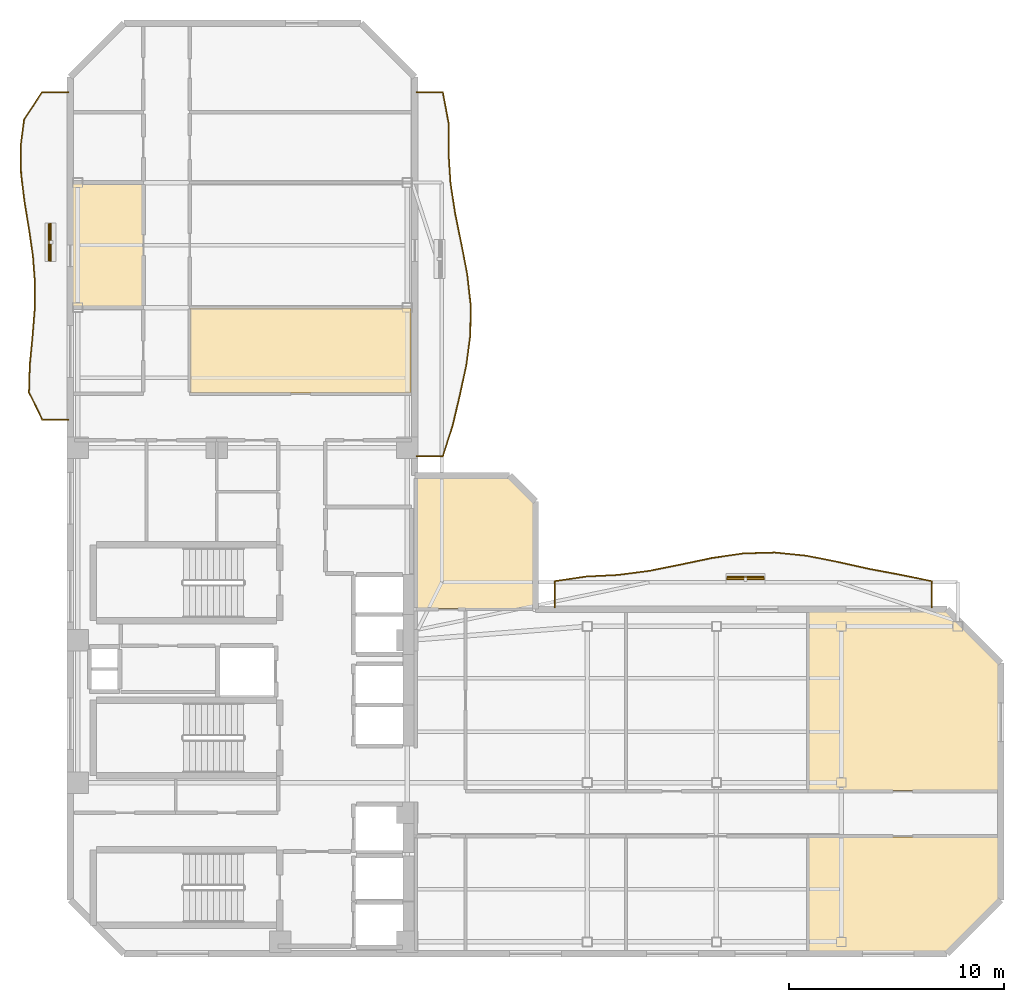
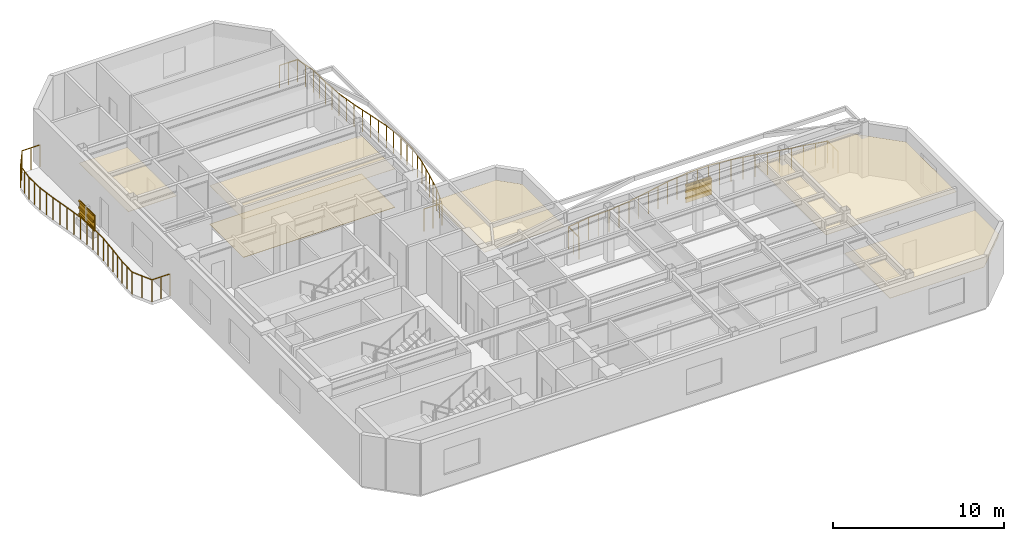
# One storey, part 8 of 9: 8 shading devices, 6 coverings, 3 railings.
"""IFC4 building model written with IfcOpenShell, lengths in metres."""

from ifc_helpers import new_model, si_unit, direction, frame, origin, origin_2d, place, context, subcontext, project, spatial, polyline, rectangle, outline, extrude, material, layer, layer_set, material_profile, profile_set, type_object, element, save


model = new_model("IFC4")

# Units and contexts
model_context = context("Model", 3, precision=1e-05, world=origin(), true_north=direction((0.0, 1.0)))
body_context = subcontext(model_context, "Body", "Model", "MODEL_VIEW")
ifc_project = project(units=[si_unit("LENGTHUNIT", "METRE"), si_unit("AREAUNIT", "SQUARE_METRE"), si_unit("VOLUMEUNIT", "CUBIC_METRE"), si_unit("PLANEANGLEUNIT", "RADIAN"), si_unit("MASSUNIT", "GRAM", prefix="KILO")], contexts=[model_context])

# Site, building, storey
site_placement = place(None, origin())
site = spatial("IfcSite", under=ifc_project, at=site_placement, CompositionType="ELEMENT")
building_placement = place(site_placement, origin())
building = spatial("IfcBuilding", under=site, at=building_placement, Name="Mawjaban Terraces University", CompositionType="ELEMENT")
storey_placement = place(building_placement, frame((0.0, 0.0, 226.5)))
storey = spatial("IfcBuildingStorey", under=building, at=storey_placement, Name="L55", CompositionType="ELEMENT", Elevation=226.5)

# Coverings
ifc_material_1 = material(Name="Acoustic mineral fibre ceiling tile", Category="masonry")
ifc_layer_1 = layer(ifc_material_1, 0.02001953125)
ifc_layer_set_1 = layer_set([ifc_layer_1], Name="Acoustic mineral fibre ceiling tile")
covering_type_1 = type_object("IfcCoveringType", Name="AcousticMineralCeiling_20", PredefinedType="CEILING", material=ifc_layer_set_1)
covering_1_placement = place(storey_placement, frame((0.0, 0.0, 2.75)))
element("IfcCovering", 1, at=covering_1_placement, inside=storey, type_object=covering_type_1, Name="L55 Departmental Office 6 Acoustic Ceiling", PredefinedType="CEILING", context=body_context, shape_type="SweptSolid", body=[
    extrude(outline(polyline([(56.283935546875, 0.114990234375), (62.653076171875, 0.114990234375), (65.0849609375, 2.547119140625), (65.0849609375, 5.419921875), (56.283935546875, 5.419921875), (56.283935546875, 0.114990234375)])), origin(), (0.0, 0.0, 1.0), 0.02001953125),
])
covering_2_placement = place(storey_placement, frame((0.0, 0.0, 2.75)))
element("IfcCovering", 2, at=covering_2_placement, inside=storey, type_object=covering_type_1, Name="L55 Faculty Office 7 Acoustic Ceiling", PredefinedType="CEILING", context=body_context, shape_type="SweptSolid", body=[
    extrude(outline(polyline([(65.0849609375, 7.580078125), (65.0849609375, 13.452880859375), (62.653076171875, 15.885009765625), (56.283935546875, 15.885009765625), (56.283935546875, 7.580078125), (65.0849609375, 7.580078125)])), origin(), (0.0, 0.0, 1.0), 0.02001953125),
])
covering_3_placement = place(storey_placement, frame((0.0, 0.0, 2.75)))
element("IfcCovering", 3, at=covering_3_placement, inside=storey, type_object=covering_type_1, Name="L55 Quiet Reading Room 9 Acoustic Ceiling", PredefinedType="CEILING", context=body_context, shape_type="SweptSolid", body=[
    extrude(outline(polyline([(37.820068359375, 26.030029296875), (37.820068359375, 29.969970703125), (27.580078125, 29.969970703125), (27.580078125, 26.030029296875), (37.820068359375, 26.030029296875)])), origin(), (0.0, 0.0, 1.0), 0.02001953125),
])
covering_4_placement = place(storey_placement, frame((0.0, 0.0, 2.75)))
element("IfcCovering", 4, at=covering_4_placement, inside=storey, type_object=covering_type_1, Name="L55 Media Workshop 10 Acoustic Ceiling", PredefinedType="CEILING", context=body_context, shape_type="SweptSolid", body=[
    extrude(outline(polyline([(22.114990234375, 35.77001953125), (22.114990234375, 30.030029296875), (25.3701171875, 30.030029296875), (25.3701171875, 35.77001953125), (22.114990234375, 35.77001953125)])), origin(), (0.0, 0.0, 1.0), 0.02001953125),
])
covering_5_placement = place(storey_placement, frame((0.0, 0.0, 2.75)))
element("IfcCovering", 5, at=covering_5_placement, inside=storey, type_object=covering_type_1, Name="L55 Terrace Collaborative Study Room Acoustic Ceiling", PredefinedType="CEILING", context=body_context, shape_type="SweptSolid", body=[
    extrude(outline(polyline([(43.485107421875, 16.030029296875), (43.485107421875, 20.952880859375), (42.35302734375, 22.0849609375), (38.080078125, 22.0849609375), (38.080078125, 16.030029296875), (43.485107421875, 16.030029296875)])), origin(), (0.0, 0.0, 1.0), 0.02001953125),
])

# Railings
ifc_material_2 = material(Name="Galvanised powder-coated steel S355", Category="steel")
railing_type = type_object("IfcRailingType", Name="BalconyBalustrade_1600", PredefinedType="BALUSTRADE", material=ifc_material_2)
railing_1_placement = place(storey_placement, frame((21.919921875, 24.800048828125, 0.0)))
element("IfcRailing", 6, at=railing_1_placement, inside=storey, type_object=railing_type, Name="L55 Balcony Guardrail west", PredefinedType="BALUSTRADE", context=body_context, shape_type="SweptSolid", body=[
    extrude(rectangle(XDim=0.048095703125, YDim=0.048095703125, at=origin_2d()), frame((0.0, 0.0, 1.576171875), z_axis=(-1.0, 0.0, 0.0), x_axis=(0.0, -1.0, 0.0)), (0.0, 0.0, 1.0), 1.219970703125),
    extrude(rectangle(XDim=0.048095703125, YDim=0.048095703125, at=origin_2d()), frame((-1.219970703125, 0.0, 1.576171875), z_axis=(-0.436711577164, 0.899601577572, 0.0), x_axis=(-0.899601577572, -0.436711577164, 0.0)), (0.0, 0.0, 1.0), 1.408203125),
    extrude(rectangle(XDim=0.048095703125, YDim=0.048095703125, at=origin_2d()), frame((-1.8349609375, 1.266845703125, 1.576171875), z_axis=(0.028526758258, 0.999593029219, 0.0), x_axis=(-0.999593029219, 0.028526758258, 0.0)), (0.0, 0.0, 1.0), 1.2666015625),
    extrude(rectangle(XDim=0.048095703125, YDim=0.048095703125, at=origin_2d()), frame((-1.798828125, 2.532958984375, 1.576171875), z_axis=(0.096465161819, 0.995336361516, 0.0), x_axis=(-0.995336361516, 0.096465161819, 0.0)), (0.0, 0.0, 1.0), 1.27294921875),
    extrude(rectangle(XDim=0.048095703125, YDim=0.048095703125, at=origin_2d()), frame((-1.676025390625, 3.800048828125, 1.576171875), z_axis=(0.081058267837, 0.996709364467, 0.0), x_axis=(-0.996709364467, 0.081058267837, 0.0)), (0.0, 0.0, 1.0), 1.27099609375),
    extrude(rectangle(XDim=0.048095703125, YDim=0.048095703125, at=origin_2d()), frame((-1.572998046875, 5.06689453125, 1.576171875), z_axis=(0.011954409891, 0.999928543489, 0.0), x_axis=(-0.999928543489, 0.011954409891, 0.0)), (0.0, 0.0, 1.0), 1.26611328125),
    extrude(rectangle(XDim=0.048095703125, YDim=0.048095703125, at=origin_2d()), frame((-1.557861328125, 6.3330078125, 1.576171875), z_axis=(-0.075520847881, 0.997144223037, 0.0), x_axis=(-0.997144223037, -0.075520847881, 0.0)), (0.0, 0.0, 1.0), 1.2705078125),
    extrude(rectangle(XDim=0.048095703125, YDim=0.048095703125, at=origin_2d()), frame((-1.65380859375, 7.599853515625, 1.576171875), z_axis=(-0.143770092733, 0.98961111576, 0.0), x_axis=(-0.98961111576, -0.143770092733, 0.0)), (0.0, 0.0, 1.0), 1.2802734375),
    extrude(rectangle(XDim=0.048095703125, YDim=0.048095703125, at=origin_2d()), frame((-1.837890625, 8.866943359375, 1.576171875), z_axis=(-0.163596886626, 0.986527272145, 0.0), x_axis=(-0.986527272145, -0.163596886626, 0.0)), (0.0, 0.0, 1.0), 1.283447265625),
    extrude(rectangle(XDim=0.048095703125, YDim=0.048095703125, at=origin_2d()), frame((-2.0478515625, 10.133056640625, 1.576171875), z_axis=(-0.120714143885, 0.992687310016, 0.0), x_axis=(-0.992687310016, -0.120714143885, 0.0)), (0.0, 0.0, 1.0), 1.276123046875),
    extrude(rectangle(XDim=0.048095703125, YDim=0.048095703125, at=origin_2d()), frame((-2.201904296875, 11.39990234375, 1.576171875), z_axis=(-0.018879100933, 0.999821773892, 0.0), x_axis=(-0.999821773892, -0.018879100933, 0.0)), (0.0, 0.0, 1.0), 1.267333984375),
    extrude(rectangle(XDim=0.048095703125, YDim=0.048095703125, at=origin_2d()), frame((-2.225830078125, 12.6669921875, 1.576171875), z_axis=(0.129093896375, 0.99163237438, 0.0), x_axis=(-0.99163237438, 0.129093896375, 0.0)), (0.0, 0.0, 1.0), 1.276611328125),
    extrude(rectangle(XDim=0.048095703125, YDim=0.048095703125, at=origin_2d()), frame((-2.06103515625, 13.932861328125, 1.576171875), z_axis=(0.553032021961, 0.833159998251, 0.0), x_axis=(-0.833159998251, 0.553032021961, 0.0)), (0.0, 0.0, 1.0), 1.520751953125),
    extrude(rectangle(XDim=0.048095703125, YDim=0.048095703125, at=origin_2d()), frame((-1.219970703125, 15.199951171875, 1.576171875), z_axis=(1.0, 0.0, 0.0), x_axis=(0.0, 1.0, 0.0)), (0.0, 0.0, 1.0), 1.219970703125),
    extrude(rectangle(XDim=0.0419921875, YDim=0.0419921875, at=origin_2d()), origin(), (0.0, 0.0, 1.0), 1.552001953125),
    extrude(rectangle(XDim=0.0419921875, YDim=0.0419921875, at=origin_2d()), frame((-0.60986328125, 0.0, 0.0)), (0.0, 0.0, 1.0), 1.552001953125),
    extrude(rectangle(XDim=0.0419921875, YDim=0.0419921875, at=origin_2d()), frame((-1.219970703125, 0.0, 0.0)), (0.0, 0.0, 1.0), 1.552001953125),
    extrude(rectangle(XDim=0.0419921875, YDim=0.0419921875, at=origin_2d()), frame((-1.52734375, 0.63330078125, 0.0)), (0.0, 0.0, 1.0), 1.552001953125),
    extrude(rectangle(XDim=0.0419921875, YDim=0.0419921875, at=origin_2d()), frame((-1.8349609375, 1.266845703125, 0.0)), (0.0, 0.0, 1.0), 1.552001953125),
    extrude(rectangle(XDim=0.0419921875, YDim=0.0419921875, at=origin_2d()), frame((-1.81689453125, 1.89990234375, 0.0)), (0.0, 0.0, 1.0), 1.552001953125),
    extrude(rectangle(XDim=0.0419921875, YDim=0.0419921875, at=origin_2d()), frame((-1.798828125, 2.532958984375, 0.0)), (0.0, 0.0, 1.0), 1.552001953125),
    extrude(rectangle(XDim=0.0419921875, YDim=0.0419921875, at=origin_2d()), frame((-1.7373046875, 3.16650390625, 0.0)), (0.0, 0.0, 1.0), 1.552001953125),
    extrude(rectangle(XDim=0.0419921875, YDim=0.0419921875, at=origin_2d()), frame((-1.676025390625, 3.800048828125, 0.0)), (0.0, 0.0, 1.0), 1.552001953125),
    extrude(rectangle(XDim=0.0419921875, YDim=0.0419921875, at=origin_2d()), frame((-1.62451171875, 4.43359375, 0.0)), (0.0, 0.0, 1.0), 1.552001953125),
    extrude(rectangle(XDim=0.0419921875, YDim=0.0419921875, at=origin_2d()), frame((-1.572998046875, 5.06689453125, 0.0)), (0.0, 0.0, 1.0), 1.552001953125),
    extrude(rectangle(XDim=0.0419921875, YDim=0.0419921875, at=origin_2d()), frame((-1.5654296875, 5.699951171875, 0.0)), (0.0, 0.0, 1.0), 1.552001953125),
    extrude(rectangle(XDim=0.0419921875, YDim=0.0419921875, at=origin_2d()), frame((-1.557861328125, 6.3330078125, 0.0)), (0.0, 0.0, 1.0), 1.552001953125),
    extrude(rectangle(XDim=0.0419921875, YDim=0.0419921875, at=origin_2d()), frame((-1.60595703125, 6.96630859375, 0.0)), (0.0, 0.0, 1.0), 1.552001953125),
    extrude(rectangle(XDim=0.0419921875, YDim=0.0419921875, at=origin_2d()), frame((-1.65380859375, 7.599853515625, 0.0)), (0.0, 0.0, 1.0), 1.552001953125),
    extrude(rectangle(XDim=0.0419921875, YDim=0.0419921875, at=origin_2d()), frame((-1.745849609375, 8.2333984375, 0.0)), (0.0, 0.0, 1.0), 1.552001953125),
    extrude(rectangle(XDim=0.0419921875, YDim=0.0419921875, at=origin_2d()), frame((-1.837890625, 8.866943359375, 0.0)), (0.0, 0.0, 1.0), 1.552001953125),
    extrude(rectangle(XDim=0.0419921875, YDim=0.0419921875, at=origin_2d()), frame((-1.94287109375, 9.5, 0.0)), (0.0, 0.0, 1.0), 1.552001953125),
    extrude(rectangle(XDim=0.0419921875, YDim=0.0419921875, at=origin_2d()), frame((-2.0478515625, 10.133056640625, 0.0)), (0.0, 0.0, 1.0), 1.552001953125),
    extrude(rectangle(XDim=0.0419921875, YDim=0.0419921875, at=origin_2d()), frame((-2.125, 10.7666015625, 0.0)), (0.0, 0.0, 1.0), 1.552001953125),
    extrude(rectangle(XDim=0.0419921875, YDim=0.0419921875, at=origin_2d()), frame((-2.201904296875, 11.39990234375, 0.0)), (0.0, 0.0, 1.0), 1.552001953125),
    extrude(rectangle(XDim=0.0419921875, YDim=0.0419921875, at=origin_2d()), frame((-2.2138671875, 12.033447265625, 0.0)), (0.0, 0.0, 1.0), 1.552001953125),
    extrude(rectangle(XDim=0.0419921875, YDim=0.0419921875, at=origin_2d()), frame((-2.225830078125, 12.6669921875, 0.0)), (0.0, 0.0, 1.0), 1.552001953125),
    extrude(rectangle(XDim=0.0419921875, YDim=0.0419921875, at=origin_2d()), frame((-2.1435546875, 13.2998046875, 0.0)), (0.0, 0.0, 1.0), 1.552001953125),
    extrude(rectangle(XDim=0.0419921875, YDim=0.0419921875, at=origin_2d()), frame((-2.06103515625, 13.932861328125, 0.0)), (0.0, 0.0, 1.0), 1.552001953125),
    extrude(rectangle(XDim=0.0419921875, YDim=0.0419921875, at=origin_2d()), frame((-1.640625, 14.56640625, 0.0)), (0.0, 0.0, 1.0), 1.552001953125),
    extrude(rectangle(XDim=0.0419921875, YDim=0.0419921875, at=origin_2d()), frame((-1.219970703125, 15.199951171875, 0.0)), (0.0, 0.0, 1.0), 1.552001953125),
    extrude(rectangle(XDim=0.0419921875, YDim=0.0419921875, at=origin_2d()), frame((-0.60986328125, 15.199951171875, 0.0)), (0.0, 0.0, 1.0), 1.552001953125),
    extrude(rectangle(XDim=0.0419921875, YDim=0.0419921875, at=origin_2d()), frame((0.0, 15.199951171875, 0.0)), (0.0, 0.0, 1.0), 1.552001953125),
])
railing_2_placement = place(storey_placement, frame((44.5, 16.080078125, 0.0)))
element("IfcRailing", 7, at=railing_2_placement, inside=storey, type_object=railing_type, Name="L55 Balcony Guardrail inner_north", PredefinedType="BALUSTRADE", context=body_context, shape_type="SweptSolid", body=[
    extrude(rectangle(XDim=0.048095703125, YDim=0.048095703125, at=origin_2d()), frame((0.0, 0.0, 1.576171875), z_axis=(0.0, 1.0, 0.0), x_axis=(-1.0, 0.0, 0.0)), (0.0, 0.0, 1.0), 1.219970703125),
    extrude(rectangle(XDim=0.048095703125, YDim=0.048095703125, at=origin_2d()), frame((0.0, 1.219970703125, 1.576171875), z_axis=(0.989100957602, 0.147238906783, 0.0), x_axis=(-0.147238906783, 0.989100957602, 0.0)), (0.0, 0.0, 1.0), 1.47412109375),
    extrude(rectangle(XDim=0.048095703125, YDim=0.048095703125, at=origin_2d()), frame((1.4580078125, 1.43701171875, 1.576171875), z_axis=(0.99875067122, 0.049970958952, 0.0), x_axis=(-0.049970958952, 0.99875067122, 0.0)), (0.0, 0.0, 1.0), 1.460693359375),
    extrude(rectangle(XDim=0.048095703125, YDim=0.048095703125, at=origin_2d()), frame((2.9169921875, 1.510009765625, 1.576171875), z_axis=(0.991620768722, 0.129183013742, 0.0), x_axis=(-0.129183013742, 0.991620768722, 0.0)), (0.0, 0.0, 1.0), 1.47021484375),
    extrude(rectangle(XDim=0.048095703125, YDim=0.048095703125, at=origin_2d()), frame((4.375, 1.699951171875, 1.576171875), z_axis=(0.980656391258, 0.195737176554, 0.0), x_axis=(-0.195737176554, 0.980656391258, 0.0)), (0.0, 0.0, 1.0), 1.48681640625),
    extrude(rectangle(XDim=0.048095703125, YDim=0.048095703125, at=origin_2d()), frame((5.8330078125, 1.990966796875, 1.576171875), z_axis=(0.9787180108, 0.205209783724, 0.0), x_axis=(-0.205209783724, 0.9787180108, 0.0)), (0.0, 0.0, 1.0), 1.49072265625),
    extrude(rectangle(XDim=0.048095703125, YDim=0.048095703125, at=origin_2d()), frame((7.2919921875, 2.296875, 1.576171875), z_axis=(0.989483632646, 0.144644877981, 0.0), x_axis=(-0.144644877981, 0.989483632646, 0.0)), (0.0, 0.0, 1.0), 1.473388671875),
    extrude(rectangle(XDim=0.048095703125, YDim=0.048095703125, at=origin_2d()), frame((8.75, 2.510009765625, 1.576171875), z_axis=(0.999585506985, 0.028789133825, 0.0), x_axis=(-0.028789133825, 0.999585506985, 0.0)), (0.0, 0.0, 1.0), 1.45849609375),
    extrude(rectangle(XDim=0.048095703125, YDim=0.048095703125, at=origin_2d()), frame((10.2080078125, 2.552001953125, 1.576171875), z_axis=(0.994881042636, -0.101053010857, 0.0), x_axis=(0.101053010857, 0.994881042636, 0.0)), (0.0, 0.0, 1.0), 1.466552734375),
    extrude(rectangle(XDim=0.048095703125, YDim=0.048095703125, at=origin_2d()), frame((11.6669921875, 2.40380859375, 1.576171875), z_axis=(0.981313141309, -0.192417563374, 0.0), x_axis=(0.192417563374, 0.981313141309, 0.0)), (0.0, 0.0, 1.0), 1.48583984375),
    extrude(rectangle(XDim=0.048095703125, YDim=0.048095703125, at=origin_2d()), frame((13.125, 2.117919921875, 1.576171875), z_axis=(0.975913288305, -0.218158780959, 0.0), x_axis=(0.218158780959, 0.975913288305, 0.0)), (0.0, 0.0, 1.0), 1.493896484375),
    extrude(rectangle(XDim=0.048095703125, YDim=0.048095703125, at=origin_2d()), frame((14.5830078125, 1.7919921875, 1.576171875), z_axis=(0.982946589238, -0.18389127958, 0.0), x_axis=(0.18389127958, 0.982946589238, 0.0)), (0.0, 0.0, 1.0), 1.484375),
    extrude(rectangle(XDim=0.048095703125, YDim=0.048095703125, at=origin_2d()), frame((16.0419921875, 1.51904296875, 1.576171875), z_axis=(0.979603528559, -0.200940107583, 0.0), x_axis=(0.200940107583, 0.979603528559, 0.0)), (0.0, 0.0, 1.0), 1.48828125),
    extrude(rectangle(XDim=0.048095703125, YDim=0.048095703125, at=origin_2d()), frame((17.5, 1.219970703125, 1.576171875), z_axis=(0.0, -1.0, 0.0), x_axis=(1.0, 0.0, 0.0)), (0.0, 0.0, 1.0), 1.219970703125),
    extrude(rectangle(XDim=0.0419921875, YDim=0.0419921875, at=origin_2d()), origin(), (0.0, 0.0, 1.0), 1.552001953125),
    extrude(rectangle(XDim=0.0419921875, YDim=0.0419921875, at=origin_2d()), frame((0.0, 0.60986328125, 0.0)), (0.0, 0.0, 1.0), 1.552001953125),
    extrude(rectangle(XDim=0.0419921875, YDim=0.0419921875, at=origin_2d()), frame((0.0, 1.219970703125, 0.0)), (0.0, 0.0, 1.0), 1.552001953125),
    extrude(rectangle(XDim=0.0419921875, YDim=0.0419921875, at=origin_2d()), frame((0.72900390625, 1.32861328125, 0.0)), (0.0, 0.0, 1.0), 1.552001953125),
    extrude(rectangle(XDim=0.0419921875, YDim=0.0419921875, at=origin_2d()), frame((1.4580078125, 1.43701171875, 0.0)), (0.0, 0.0, 1.0), 1.552001953125),
    extrude(rectangle(XDim=0.0419921875, YDim=0.0419921875, at=origin_2d()), frame((2.1875, 1.4736328125, 0.0)), (0.0, 0.0, 1.0), 1.552001953125),
    extrude(rectangle(XDim=0.0419921875, YDim=0.0419921875, at=origin_2d()), frame((2.9169921875, 1.510009765625, 0.0)), (0.0, 0.0, 1.0), 1.552001953125),
    extrude(rectangle(XDim=0.0419921875, YDim=0.0419921875, at=origin_2d()), frame((3.64599609375, 1.60498046875, 0.0)), (0.0, 0.0, 1.0), 1.552001953125),
    extrude(rectangle(XDim=0.0419921875, YDim=0.0419921875, at=origin_2d()), frame((4.375, 1.699951171875, 0.0)), (0.0, 0.0, 1.0), 1.552001953125),
    extrude(rectangle(XDim=0.0419921875, YDim=0.0419921875, at=origin_2d()), frame((5.10400390625, 1.845458984375, 0.0)), (0.0, 0.0, 1.0), 1.552001953125),
    extrude(rectangle(XDim=0.0419921875, YDim=0.0419921875, at=origin_2d()), frame((5.8330078125, 1.990966796875, 0.0)), (0.0, 0.0, 1.0), 1.552001953125),
    extrude(rectangle(XDim=0.0419921875, YDim=0.0419921875, at=origin_2d()), frame((6.5625, 2.14404296875, 0.0)), (0.0, 0.0, 1.0), 1.552001953125),
    extrude(rectangle(XDim=0.0419921875, YDim=0.0419921875, at=origin_2d()), frame((7.2919921875, 2.296875, 0.0)), (0.0, 0.0, 1.0), 1.552001953125),
    extrude(rectangle(XDim=0.0419921875, YDim=0.0419921875, at=origin_2d()), frame((8.02099609375, 2.4033203125, 0.0)), (0.0, 0.0, 1.0), 1.552001953125),
    extrude(rectangle(XDim=0.0419921875, YDim=0.0419921875, at=origin_2d()), frame((8.75, 2.510009765625, 0.0)), (0.0, 0.0, 1.0), 1.552001953125),
    extrude(rectangle(XDim=0.0419921875, YDim=0.0419921875, at=origin_2d()), frame((9.47900390625, 2.531005859375, 0.0)), (0.0, 0.0, 1.0), 1.552001953125),
    extrude(rectangle(XDim=0.0419921875, YDim=0.0419921875, at=origin_2d()), frame((10.2080078125, 2.552001953125, 0.0)), (0.0, 0.0, 1.0), 1.552001953125),
    extrude(rectangle(XDim=0.0419921875, YDim=0.0419921875, at=origin_2d()), frame((10.9375, 2.47802734375, 0.0)), (0.0, 0.0, 1.0), 1.552001953125),
    extrude(rectangle(XDim=0.0419921875, YDim=0.0419921875, at=origin_2d()), frame((11.6669921875, 2.40380859375, 0.0)), (0.0, 0.0, 1.0), 1.552001953125),
    extrude(rectangle(XDim=0.0419921875, YDim=0.0419921875, at=origin_2d()), frame((12.39599609375, 2.2607421875, 0.0)), (0.0, 0.0, 1.0), 1.552001953125),
    extrude(rectangle(XDim=0.0419921875, YDim=0.0419921875, at=origin_2d()), frame((13.125, 2.117919921875, 0.0)), (0.0, 0.0, 1.0), 1.552001953125),
    extrude(rectangle(XDim=0.0419921875, YDim=0.0419921875, at=origin_2d()), frame((13.85400390625, 1.955078125, 0.0)), (0.0, 0.0, 1.0), 1.552001953125),
    extrude(rectangle(XDim=0.0419921875, YDim=0.0419921875, at=origin_2d()), frame((14.5830078125, 1.7919921875, 0.0)), (0.0, 0.0, 1.0), 1.552001953125),
    extrude(rectangle(XDim=0.0419921875, YDim=0.0419921875, at=origin_2d()), frame((15.3125, 1.655517578125, 0.0)), (0.0, 0.0, 1.0), 1.552001953125),
    extrude(rectangle(XDim=0.0419921875, YDim=0.0419921875, at=origin_2d()), frame((16.0419921875, 1.51904296875, 0.0)), (0.0, 0.0, 1.0), 1.552001953125),
    extrude(rectangle(XDim=0.0419921875, YDim=0.0419921875, at=origin_2d()), frame((16.77099609375, 1.36962890625, 0.0)), (0.0, 0.0, 1.0), 1.552001953125),
    extrude(rectangle(XDim=0.0419921875, YDim=0.0419921875, at=origin_2d()), frame((17.5, 1.219970703125, 0.0)), (0.0, 0.0, 1.0), 1.552001953125),
    extrude(rectangle(XDim=0.0419921875, YDim=0.0419921875, at=origin_2d()), frame((17.5, 0.60986328125, 0.0)), (0.0, 0.0, 1.0), 1.552001953125),
    extrude(rectangle(XDim=0.0419921875, YDim=0.0419921875, at=origin_2d()), frame((17.5, 0.0, 0.0)), (0.0, 0.0, 1.0), 1.552001953125),
])
railing_3_placement = place(storey_placement, frame((38.080078125, 23.10009765625, 0.0)))
element("IfcRailing", 8, at=railing_3_placement, inside=storey, type_object=railing_type, Name="L55 Balcony Guardrail inner_east", PredefinedType="BALUSTRADE", context=body_context, shape_type="SweptSolid", body=[
    extrude(rectangle(XDim=0.048095703125, YDim=0.048095703125, at=origin_2d()), frame((0.0, 0.0, 1.576171875), z_axis=(1.0, 0.0, 0.0), x_axis=(0.0, 1.0, 0.0)), (0.0, 0.0, 1.0), 1.219970703125),
    extrude(rectangle(XDim=0.048095703125, YDim=0.048095703125, at=origin_2d()), frame((1.219970703125, 0.0, 1.576171875), z_axis=(0.306206877459, 0.951964993157, 0.0), x_axis=(-0.951964993157, 0.306206877459, 0.0)), (0.0, 0.0, 1.0), 1.47900390625),
    extrude(rectangle(XDim=0.048095703125, YDim=0.048095703125, at=origin_2d()), frame((1.6728515625, 1.407958984375, 1.576171875), z_axis=(0.230655441366, 0.97303549132, 0.0), x_axis=(-0.97303549132, 0.230655441366, 0.0)), (0.0, 0.0, 1.0), 1.447998046875),
    extrude(rectangle(XDim=0.048095703125, YDim=0.048095703125, at=origin_2d()), frame((2.0068359375, 2.81689453125, 1.576171875), z_axis=(0.21118399882, 0.977446325198, 0.0), x_axis=(-0.977446325198, 0.21118399882, 0.0)), (0.0, 0.0, 1.0), 1.4404296875),
    extrude(rectangle(XDim=0.048095703125, YDim=0.048095703125, at=origin_2d()), frame((2.31103515625, 4.224853515625, 1.576171875), z_axis=(0.132343849048, 0.99120386683, 0.0), x_axis=(-0.99120386683, 0.132343849048, 0.0)), (0.0, 0.0, 1.0), 1.42041015625),
    extrude(rectangle(XDim=0.048095703125, YDim=0.048095703125, at=origin_2d()), frame((2.4990234375, 5.6328125, 1.576171875), z_axis=(0.009181872111, 0.999957845724, 0.0), x_axis=(-0.999957845724, 0.009181872111, 0.0)), (0.0, 0.0, 1.0), 1.4091796875),
    extrude(rectangle(XDim=0.048095703125, YDim=0.048095703125, at=origin_2d()), frame((2.511962890625, 7.0419921875, 1.576171875), z_axis=(-0.11217122754, 0.993688892819, 0.0), x_axis=(-0.993688892819, -0.11217122754, 0.0)), (0.0, 0.0, 1.0), 1.4169921875),
    extrude(rectangle(XDim=0.048095703125, YDim=0.048095703125, at=origin_2d()), frame((2.35302734375, 8.449951171875, 1.576171875), z_axis=(-0.189826041236, 0.98181773974, 0.0), x_axis=(-0.98181773974, -0.189826041236, 0.0)), (0.0, 0.0, 1.0), 1.43408203125),
    extrude(rectangle(XDim=0.048095703125, YDim=0.048095703125, at=origin_2d()), frame((2.080810546875, 9.85791015625, 1.576171875), z_axis=(-0.200162907696, 0.979762629611, 0.0), x_axis=(-0.979762629611, -0.200162907696, 0.0)), (0.0, 0.0, 1.0), 1.43798828125),
    extrude(rectangle(XDim=0.048095703125, YDim=0.048095703125, at=origin_2d()), frame((1.79296875, 11.266845703125, 1.576171875), z_axis=(-0.151013766641, 0.988531659728, 0.0), x_axis=(-0.988531659728, -0.151013766641, 0.0)), (0.0, 0.0, 1.0), 1.42431640625),
    extrude(rectangle(XDim=0.048095703125, YDim=0.048095703125, at=origin_2d()), frame((1.577880859375, 12.6748046875, 1.576171875), z_axis=(-0.06591045966, 0.997825541519, 0.0), x_axis=(-0.997825541519, -0.06591045966, 0.0)), (0.0, 0.0, 1.0), 1.411376953125),
    extrude(rectangle(XDim=0.048095703125, YDim=0.048095703125, at=origin_2d()), frame((1.48486328125, 14.0830078125, 1.576171875), z_axis=(-0.001386240221, 0.999999039169, 0.0), x_axis=(-0.999999039169, -0.001386240221, 0.0)), (0.0, 0.0, 1.0), 1.408935546875),
    extrude(rectangle(XDim=0.048095703125, YDim=0.048095703125, at=origin_2d()), frame((1.48291015625, 15.491943359375, 1.576171875), z_axis=(-0.183578371424, 0.98300507707, 0.0), x_axis=(-0.98300507707, -0.183578371424, 0.0)), (0.0, 0.0, 1.0), 1.432373046875),
    extrude(rectangle(XDim=0.048095703125, YDim=0.048095703125, at=origin_2d()), frame((1.219970703125, 16.89990234375, 1.576171875), z_axis=(-1.0, 0.0, 0.0), x_axis=(0.0, -1.0, 0.0)), (0.0, 0.0, 1.0), 1.219970703125),
    extrude(rectangle(XDim=0.0419921875, YDim=0.0419921875, at=origin_2d()), origin(), (0.0, 0.0, 1.0), 1.552001953125),
    extrude(rectangle(XDim=0.0419921875, YDim=0.0419921875, at=origin_2d()), frame((0.60986328125, 0.0, 0.0)), (0.0, 0.0, 1.0), 1.552001953125),
    extrude(rectangle(XDim=0.0419921875, YDim=0.0419921875, at=origin_2d()), frame((1.219970703125, 0.0, 0.0)), (0.0, 0.0, 1.0), 1.552001953125),
    extrude(rectangle(XDim=0.0419921875, YDim=0.0419921875, at=origin_2d()), frame((1.4462890625, 0.7041015625, 0.0)), (0.0, 0.0, 1.0), 1.552001953125),
    extrude(rectangle(XDim=0.0419921875, YDim=0.0419921875, at=origin_2d()), frame((1.6728515625, 1.407958984375, 0.0)), (0.0, 0.0, 1.0), 1.552001953125),
    extrude(rectangle(XDim=0.0419921875, YDim=0.0419921875, at=origin_2d()), frame((1.83984375, 2.1123046875, 0.0)), (0.0, 0.0, 1.0), 1.552001953125),
    extrude(rectangle(XDim=0.0419921875, YDim=0.0419921875, at=origin_2d()), frame((2.0068359375, 2.81689453125, 0.0)), (0.0, 0.0, 1.0), 1.552001953125),
    extrude(rectangle(XDim=0.0419921875, YDim=0.0419921875, at=origin_2d()), frame((2.158935546875, 3.52099609375, 0.0)), (0.0, 0.0, 1.0), 1.552001953125),
    extrude(rectangle(XDim=0.0419921875, YDim=0.0419921875, at=origin_2d()), frame((2.31103515625, 4.224853515625, 0.0)), (0.0, 0.0, 1.0), 1.552001953125),
    extrude(rectangle(XDim=0.0419921875, YDim=0.0419921875, at=origin_2d()), frame((2.405029296875, 4.9287109375, 0.0)), (0.0, 0.0, 1.0), 1.552001953125),
    extrude(rectangle(XDim=0.0419921875, YDim=0.0419921875, at=origin_2d()), frame((2.4990234375, 5.6328125, 0.0)), (0.0, 0.0, 1.0), 1.552001953125),
    extrude(rectangle(XDim=0.0419921875, YDim=0.0419921875, at=origin_2d()), frame((2.50537109375, 6.33740234375, 0.0)), (0.0, 0.0, 1.0), 1.552001953125),
    extrude(rectangle(XDim=0.0419921875, YDim=0.0419921875, at=origin_2d()), frame((2.511962890625, 7.0419921875, 0.0)), (0.0, 0.0, 1.0), 1.552001953125),
    extrude(rectangle(XDim=0.0419921875, YDim=0.0419921875, at=origin_2d()), frame((2.4326171875, 7.74609375, 0.0)), (0.0, 0.0, 1.0), 1.552001953125),
    extrude(rectangle(XDim=0.0419921875, YDim=0.0419921875, at=origin_2d()), frame((2.35302734375, 8.449951171875, 0.0)), (0.0, 0.0, 1.0), 1.552001953125),
    extrude(rectangle(XDim=0.0419921875, YDim=0.0419921875, at=origin_2d()), frame((2.216796875, 9.15380859375, 0.0)), (0.0, 0.0, 1.0), 1.552001953125),
    extrude(rectangle(XDim=0.0419921875, YDim=0.0419921875, at=origin_2d()), frame((2.080810546875, 9.85791015625, 0.0)), (0.0, 0.0, 1.0), 1.552001953125),
    extrude(rectangle(XDim=0.0419921875, YDim=0.0419921875, at=origin_2d()), frame((1.93701171875, 10.5625, 0.0)), (0.0, 0.0, 1.0), 1.552001953125),
    extrude(rectangle(XDim=0.0419921875, YDim=0.0419921875, at=origin_2d()), frame((1.79296875, 11.266845703125, 0.0)), (0.0, 0.0, 1.0), 1.552001953125),
    extrude(rectangle(XDim=0.0419921875, YDim=0.0419921875, at=origin_2d()), frame((1.685546875, 11.970703125, 0.0)), (0.0, 0.0, 1.0), 1.552001953125),
    extrude(rectangle(XDim=0.0419921875, YDim=0.0419921875, at=origin_2d()), frame((1.577880859375, 12.6748046875, 0.0)), (0.0, 0.0, 1.0), 1.552001953125),
    extrude(rectangle(XDim=0.0419921875, YDim=0.0419921875, at=origin_2d()), frame((1.53125, 13.37890625, 0.0)), (0.0, 0.0, 1.0), 1.552001953125),
    extrude(rectangle(XDim=0.0419921875, YDim=0.0419921875, at=origin_2d()), frame((1.48486328125, 14.0830078125, 0.0)), (0.0, 0.0, 1.0), 1.552001953125),
    extrude(rectangle(XDim=0.0419921875, YDim=0.0419921875, at=origin_2d()), frame((1.48388671875, 14.78759765625, 0.0)), (0.0, 0.0, 1.0), 1.552001953125),
    extrude(rectangle(XDim=0.0419921875, YDim=0.0419921875, at=origin_2d()), frame((1.48291015625, 15.491943359375, 0.0)), (0.0, 0.0, 1.0), 1.552001953125),
    extrude(rectangle(XDim=0.0419921875, YDim=0.0419921875, at=origin_2d()), frame((1.3515625, 16.19580078125, 0.0)), (0.0, 0.0, 1.0), 1.552001953125),
    extrude(rectangle(XDim=0.0419921875, YDim=0.0419921875, at=origin_2d()), frame((1.219970703125, 16.89990234375, 0.0)), (0.0, 0.0, 1.0), 1.552001953125),
    extrude(rectangle(XDim=0.0419921875, YDim=0.0419921875, at=origin_2d()), frame((0.60986328125, 16.89990234375, 0.0)), (0.0, 0.0, 1.0), 1.552001953125),
    extrude(rectangle(XDim=0.0419921875, YDim=0.0419921875, at=origin_2d()), frame((0.0, 16.89990234375, 0.0)), (0.0, 0.0, 1.0), 1.552001953125),
])

# Shading devices
ifc_material_3 = material(Name="Glazed architectural terracotta ceramic", Category="masonry")
ifc_material_profile = material_profile(ifc_material_3, rectangle(XDim=0.06494140625, YDim=0.110107421875, at=origin_2d()), Name="TBAG110X65")
ifc_profile_set = profile_set([ifc_material_profile], Name="Glazed architectural terracotta ceramic")
shading_device_type_1 = type_object("IfcShadingDeviceType", Name="TerracottaBaguette_110x65", PredefinedType="USERDEFINED", material=ifc_profile_set)
for number, where, z_axis, x_axis, name in (
    (9, (21.007080078125, 32.18408203125, 0.679931640625), (0.0, 1.0, 0.0), (-1.0, 0.0, 0.0), "L55 Horizontal Terracotta Baguette west.1"),
    (10, (21.007080078125, 32.18408203125, 1.14990234375), (0.0, 1.0, 0.0), (-1.0, 0.0, 0.0), "L55 Horizontal Terracotta Baguette west.2"),
    (11, (21.007080078125, 32.18408203125, 1.6201171875), (0.0, 1.0, 0.0), (-1.0, 0.0, 0.0), "L55 Horizontal Terracotta Baguette west.3"),
    (12, (52.5, 17.493896484375, 0.679931640625), (1.0, 0.0, 0.0), (0.0, 1.0, 0.0), "L55 Horizontal Terracotta Baguette inner_north.1"),
    (13, (52.5, 17.493896484375, 1.14990234375), (1.0, 0.0, 0.0), (0.0, 1.0, 0.0), "L55 Horizontal Terracotta Baguette inner_north.2"),
    (14, (52.5, 17.493896484375, 1.6201171875), (1.0, 0.0, 0.0), (0.0, 1.0, 0.0), "L55 Horizontal Terracotta Baguette inner_north.3"),
):
    element("IfcShadingDevice", number, at=place(storey_placement, frame(where, z_axis=z_axis, x_axis=x_axis)), inside=storey, type_object=shading_device_type_1, Name=name, ObjectType="BAGUETTE", PredefinedType="USERDEFINED", context=body_context, shape_type="SweptSolid", body=[
        extrude(rectangle(XDim=0.06494140625, YDim=0.110107421875, at=origin_2d()), origin(), (0.0, 0.0, 1.0), 1.699951171875),
    ])
ifc_layer_2 = layer(ifc_material_3, 0.080078125)
ifc_layer_set_2 = layer_set([ifc_layer_2], Name="Glazed architectural terracotta ceramic")
shading_device_type_2 = type_object("IfcShadingDeviceType", Name="TerracottaScreen_Perforated", PredefinedType="USERDEFINED", material=ifc_layer_set_2)
for number, where, z_axis, x_axis, name in (
    (15, (21.092041015625, 33.033935546875, 0.43994140625), (0.0, 0.0, 1.0), (0.0, 1.0, 0.0), "L55 Balcony Perforated Terracotta Screen west"),
    (16, (53.35009765625, 17.408935546875, 0.43994140625), (0.0, 0.0, 1.0), (1.0, 0.0, 0.0), "L55 Balcony Perforated Terracotta Screen inner_north"),
):
    element("IfcShadingDevice", number, at=place(storey_placement, frame(where, z_axis=z_axis, x_axis=x_axis)), inside=storey, type_object=shading_device_type_2, Name=name, ObjectType="SCREEN", PredefinedType="USERDEFINED", context=body_context, shape_type="SweptSolid", body=[
        extrude(rectangle(XDim=1.75, YDim=0.080078125, at=origin_2d()), origin(), (0.0, 0.0, 1.0), 1.14990234375),
    ])

# Covering
ifc_material_4 = material(Name="Polished Hijazi granite terrazzo flooring", Category="masonry")
ifc_layer_3 = layer(ifc_material_4, 0.02490234375)
ifc_layer_set_3 = layer_set([ifc_layer_3], Name="Polished Hijazi granite terrazzo flooring")
covering_type_2 = type_object("IfcCoveringType", Name="TerrazzoConcourseFlooring_25", PredefinedType="FLOORING", material=ifc_layer_set_3)
covering_6_placement = place(storey_placement, origin())
element("IfcCovering", 17, at=covering_6_placement, inside=storey, type_object=covering_type_2, Name="L55 Quiet Reading Room 9 Terrazzo Flooring", PredefinedType="FLOORING", context=body_context, shape_type="SweptSolid", body=[
    extrude(outline(polyline([(37.820068359375, 26.030029296875), (37.820068359375, 29.969970703125), (27.580078125, 29.969970703125), (27.580078125, 26.030029296875), (37.820068359375, 26.030029296875)])), origin(), (0.0, 0.0, 1.0), 0.02490234375),
])

save(model, "model.ifc")
